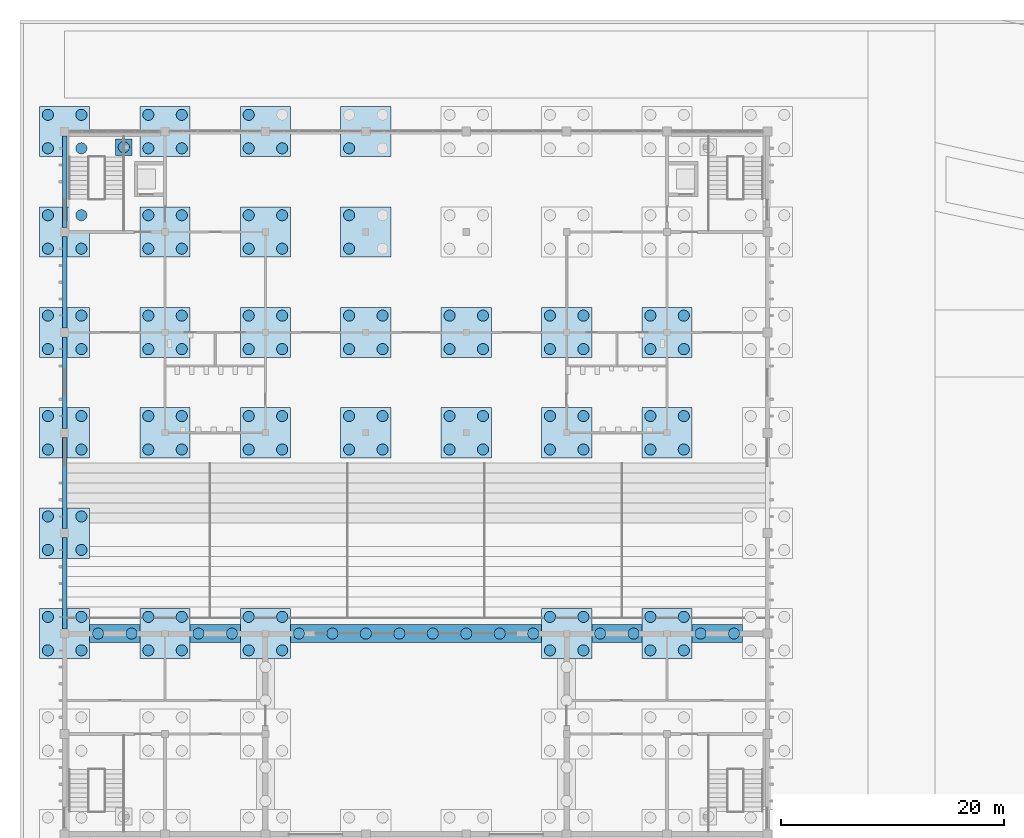
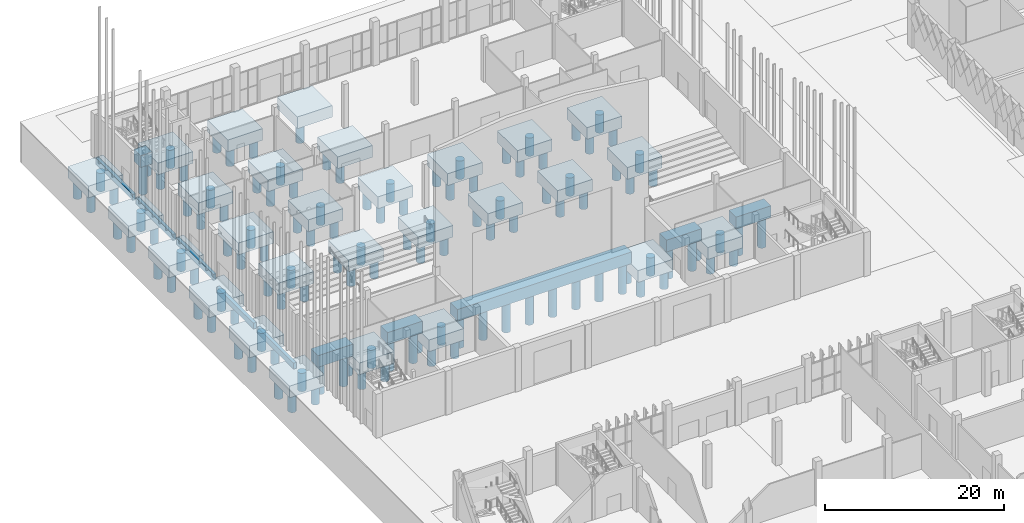
# One storey, part 9 of 198: 123 piles, 39 footings.
"""IFC4 building model written with IfcOpenShell, lengths in metres."""

from ifc_helpers import new_model, si_unit, direction, frame, origin, origin_2d, place, context, subcontext, project, spatial, polyline, circle, outline, extrude, material, layer, layer_set, material_profile, profile_set, type_object, element, save


model = new_model("IFC4")

# Units and contexts
model_context = context("Model", 3, precision=1e-05, world=origin(), true_north=direction((0.0, 1.0)))
body_context = subcontext(model_context, "Body", "Model", "MODEL_VIEW")
ifc_project = project(units=[si_unit("LENGTHUNIT", "METRE"), si_unit("AREAUNIT", "SQUARE_METRE"), si_unit("VOLUMEUNIT", "CUBIC_METRE"), si_unit("PLANEANGLEUNIT", "RADIAN"), si_unit("MASSUNIT", "GRAM", prefix="KILO")], contexts=[model_context])

# Site, building, storey
site_placement = place(None, origin())
site = spatial("IfcSite", under=ifc_project, at=site_placement, CompositionType="ELEMENT")
building_placement = place(site_placement, origin())
building = spatial("IfcBuilding", under=site, at=building_placement, Name="Opaline Strait Convention Centre", CompositionType="ELEMENT")
storey_placement = place(building_placement, origin())
storey = spatial("IfcBuildingStorey", under=building, at=storey_placement, Name="L00", CompositionType="ELEMENT", Elevation=0.0)

# Piles
ifc_material = material(Name="Concrete C35", Category="concrete")
ifc_material_profile_1 = material_profile(ifc_material, circle(Radius=0.5, at=origin_2d()), Name="D1000")
ifc_profile_set_1 = profile_set([ifc_material_profile_1], Name="Concrete C35")
pile_type_1 = type_object("IfcPileType", Name="Bored pile D1000 L2.5 C35", PredefinedType="BORED", material=ifc_profile_set_1)
for number, where, z_axis, x_axis, name in (
    (1, (7.5, 133.5, -3.5), (0.0, 0.0, -1.0), (1.0, 0.0, 0.0), "PPL1 pile 1 of PPC1 at 2/R"),
    (2, (7.5, 136.5, -3.5), (0.0, 0.0, -1.0), (1.0, 0.0, 0.0), "PPL1 pile 2 of PPC1 at 2/R"),
    (3, (10.5, 133.5, -3.5), (0.0, 0.0, -1.0), (1.0, 0.0, 0.0), "PPL1 pile 3 of PPC1 at 2/R"),
    (4, (10.5, 136.5, -3.5), (0.0, 0.0, -1.0), (1.0, 0.0, 0.0), "PPL1 pile 4 of PPC1 at 2/R"),
    (5, (16.5, 133.5, -3.5), (0.0, 0.0, -1.0), (1.0, 0.0, 0.0), "PPL1 pile 1 of PPC1 at 3/R"),
    (6, (16.5, 136.5, -3.5), (0.0, 0.0, -1.0), (1.0, 0.0, 0.0), "PPL1 pile 2 of PPC1 at 3/R"),
    (7, (19.5, 133.5, -3.5), (0.0, 0.0, -1.0), (1.0, 0.0, 0.0), "PPL1 pile 3 of PPC1 at 3/R"),
    (8, (19.5, 136.5, -3.5), (0.0, 0.0, -1.0), (1.0, 0.0, 0.0), "PPL1 pile 4 of PPC1 at 3/R"),
    (9, (25.5, 133.5, -3.5), (0.0, 0.0, -1.0), (1.0, 0.0, 0.0), "PPL1 pile 1 of PPC1 at 4/R"),
    (10, (25.5, 136.5, -3.5), (0.0, 0.0, -1.0), (1.0, 0.0, 0.0), "PPL1 pile 2 of PPC1 at 4/R"),
    (11, (28.5, 133.5, -3.5), (0.0, 0.0, -1.0), (1.0, 0.0, 0.0), "PPL1 pile 3 of PPC1 at 4/R"),
    (12, (28.5, 136.5, -3.5), (0.0, 0.0, -1.0), (1.0, 0.0, 0.0), "PPL1 pile 4 of PPC1 at 4/R"),
    (13, (52.5, 133.5, -3.5), (0.0, 0.0, -1.0), (1.0, 0.0, 0.0), "PPL1 pile 1 of PPC1 at 7/R"),
    (14, (52.5, 136.5, -3.5), (0.0, 0.0, -1.0), (1.0, 0.0, 0.0), "PPL1 pile 2 of PPC1 at 7/R"),
    (15, (55.5, 133.5, -3.5), (0.0, 0.0, -1.0), (1.0, 0.0, 0.0), "PPL1 pile 3 of PPC1 at 7/R"),
    (16, (55.5, 136.5, -3.5), (0.0, 0.0, -1.0), (1.0, 0.0, 0.0), "PPL1 pile 4 of PPC1 at 7/R"),
    (17, (61.5, 133.5, -3.5), (0.0, 0.0, -1.0), (1.0, 0.0, 0.0), "PPL1 pile 1 of PPC1 at 8/R"),
    (18, (61.5, 136.5, -3.5), (0.0, 0.0, -1.0), (1.0, 0.0, 0.0), "PPL1 pile 2 of PPC1 at 8/R"),
    (19, (64.5, 133.5, -3.5), (0.0, 0.0, -1.0), (1.0, 0.0, 0.0), "PPL1 pile 3 of PPC1 at 8/R"),
    (20, (64.5, 136.5, -3.5), (0.0, 0.0, -1.0), (1.0, 0.0, 0.0), "PPL1 pile 4 of PPC1 at 8/R"),
    (21, (7.5, 142.5, -3.5), (0.0, 0.0, -1.0), (1.0, 0.0, 0.0), "PPL1 pile 1 of PPC1 at 2/S"),
    (22, (7.5, 145.5, -3.5), (0.0, 0.0, -1.0), (1.0, 0.0, 0.0), "PPL1 pile 2 of PPC1 at 2/S"),
    (23, (10.5, 142.5, -3.5), (0.0, 0.0, -1.0), (1.0, 0.0, 0.0), "PPL1 pile 3 of PPC1 at 2/S"),
    (24, (10.5, 145.5, -3.5), (0.0, 0.0, -1.0), (1.0, 0.0, 0.0), "PPL1 pile 4 of PPC1 at 2/S"),
    (25, (7.5, 151.5, -3.5), (0.0, 0.0, -1.0), (1.0, 0.0, 0.0), "PPL1 pile 1 of PPC1 at 2/T"),
    (26, (7.5, 154.5, -3.5), (0.0, 0.0, -1.0), (1.0, 0.0, 0.0), "PPL1 pile 2 of PPC1 at 2/T"),
    (27, (10.5, 151.5, -3.5), (0.0, 0.0, -1.0), (1.0, 0.0, 0.0), "PPL1 pile 3 of PPC1 at 2/T"),
    (28, (10.5, 154.5, -3.5), (0.0, 0.0, -1.0), (1.0, 0.0, 0.0), "PPL1 pile 4 of PPC1 at 2/T"),
    (29, (16.5, 151.5, -3.5), (0.0, 0.0, -1.0), (1.0, 0.0, 0.0), "PPL1 pile 1 of PPC1 at 3/T"),
    (30, (16.5, 154.5, -3.5), (0.0, 0.0, -1.0), (1.0, 0.0, 0.0), "PPL1 pile 2 of PPC1 at 3/T"),
    (31, (19.5, 151.5, -3.5), (0.0, 0.0, -1.0), (1.0, 0.0, 0.0), "PPL1 pile 3 of PPC1 at 3/T"),
    (32, (19.5, 154.5, -3.5), (0.0, 0.0, -1.0), (1.0, 0.0, 0.0), "PPL1 pile 4 of PPC1 at 3/T"),
    (33, (25.5, 151.5, -3.5), (0.0, 0.0, -1.0), (1.0, 0.0, 0.0), "PPL1 pile 1 of PPC1 at 4/T"),
    (34, (25.5, 154.5, -3.5), (0.0, 0.0, -1.0), (1.0, 0.0, 0.0), "PPL1 pile 2 of PPC1 at 4/T"),
    (35, (28.5, 151.5, -3.5), (0.0, 0.0, -1.0), (1.0, 0.0, 0.0), "PPL1 pile 3 of PPC1 at 4/T"),
    (36, (28.5, 154.5, -3.5), (0.0, 0.0, -1.0), (1.0, 0.0, 0.0), "PPL1 pile 4 of PPC1 at 4/T"),
    (37, (34.5, 151.5, -3.5), (0.0, 0.0, -1.0), (1.0, 0.0, 0.0), "PPL1 pile 1 of PPC1 at 5/T"),
    (38, (34.5, 154.5, -3.5), (0.0, 0.0, -1.0), (1.0, 0.0, 0.0), "PPL1 pile 2 of PPC1 at 5/T"),
    (39, (37.5, 151.5, -3.5), (0.0, 0.0, -1.0), (1.0, 0.0, 0.0), "PPL1 pile 3 of PPC1 at 5/T"),
    (40, (37.5, 154.5, -3.5), (0.0, 0.0, -1.0), (1.0, 0.0, 0.0), "PPL1 pile 4 of PPC1 at 5/T"),
    (41, (43.5, 151.5, -3.5), (0.0, 0.0, -1.0), (1.0, 0.0, 0.0), "PPL1 pile 1 of PPC1 at 6/T"),
    (42, (43.5, 154.5, -3.5), (0.0, 0.0, -1.0), (1.0, 0.0, 0.0), "PPL1 pile 2 of PPC1 at 6/T"),
    (43, (46.5, 151.5, -3.5), (0.0, 0.0, -1.0), (1.0, 0.0, 0.0), "PPL1 pile 3 of PPC1 at 6/T"),
    (44, (46.5, 154.5, -3.5), (0.0, 0.0, -1.0), (1.0, 0.0, 0.0), "PPL1 pile 4 of PPC1 at 6/T"),
    (45, (52.5, 151.5, -3.5), (0.0, 0.0, -1.0), (1.0, 0.0, 0.0), "PPL1 pile 1 of PPC1 at 7/T"),
    (46, (52.5, 154.5, -3.5), (0.0, 0.0, -1.0), (1.0, 0.0, 0.0), "PPL1 pile 2 of PPC1 at 7/T"),
    (47, (55.5, 151.5, -3.5), (0.0, 0.0, -1.0), (1.0, 0.0, 0.0), "PPL1 pile 3 of PPC1 at 7/T"),
    (48, (55.5, 154.5, -3.5), (0.0, 0.0, -1.0), (1.0, 0.0, 0.0), "PPL1 pile 4 of PPC1 at 7/T"),
    (49, (61.5, 151.5, -3.5), (0.0, 0.0, -1.0), (1.0, 0.0, 0.0), "PPL1 pile 1 of PPC1 at 8/T"),
    (50, (61.5, 154.5, -3.5), (0.0, 0.0, -1.0), (1.0, 0.0, 0.0), "PPL1 pile 2 of PPC1 at 8/T"),
    (51, (64.5, 151.5, -3.5), (0.0, 0.0, -1.0), (1.0, 0.0, 0.0), "PPL1 pile 3 of PPC1 at 8/T"),
    (52, (64.5, 154.5, -3.5), (0.0, 0.0, -1.0), (1.0, 0.0, 0.0), "PPL1 pile 4 of PPC1 at 8/T"),
    (53, (7.5, 160.5, -3.5), (0.0, 0.0, -1.0), (1.0, 0.0, 0.0), "PPL1 pile 1 of PPC1 at 2/U"),
    (54, (7.5, 163.5, -3.5), (0.0, 0.0, -1.0), (1.0, 0.0, 0.0), "PPL1 pile 2 of PPC1 at 2/U"),
    (55, (10.5, 160.5, -3.5), (0.0, 0.0, -1.0), (1.0, 0.0, 0.0), "PPL1 pile 3 of PPC1 at 2/U"),
    (56, (10.5, 163.5, -3.5), (0.0, 0.0, -1.0), (1.0, 0.0, 0.0), "PPL1 pile 4 of PPC1 at 2/U"),
    (57, (16.5, 160.5, -3.5), (0.0, 0.0, -1.0), (1.0, 0.0, 0.0), "PPL1 pile 1 of PPC1 at 3/U"),
    (58, (16.5, 163.5, -3.5), (0.0, 0.0, -1.0), (1.0, 0.0, 0.0), "PPL1 pile 2 of PPC1 at 3/U"),
    (59, (19.5, 160.5, -3.5), (0.0, 0.0, -1.0), (1.0, 0.0, 0.0), "PPL1 pile 3 of PPC1 at 3/U"),
    (60, (19.5, 163.5, -3.5), (0.0, 0.0, -1.0), (1.0, 0.0, 0.0), "PPL1 pile 4 of PPC1 at 3/U"),
    (61, (25.5, 160.5, -3.5), (0.0, 0.0, -1.0), (1.0, 0.0, 0.0), "PPL1 pile 1 of PPC1 at 4/U"),
    (62, (25.5, 163.5, -3.5), (0.0, 0.0, -1.0), (1.0, 0.0, 0.0), "PPL1 pile 2 of PPC1 at 4/U"),
    (63, (28.5, 160.5, -3.5), (0.0, 0.0, -1.0), (1.0, 0.0, 0.0), "PPL1 pile 3 of PPC1 at 4/U"),
    (64, (28.5, 163.5, -3.5), (0.0, 0.0, -1.0), (1.0, 0.0, 0.0), "PPL1 pile 4 of PPC1 at 4/U"),
    (65, (34.5, 160.5, -3.5), (0.0, 0.0, -1.0), (1.0, 0.0, 0.0), "PPL1 pile 1 of PPC1 at 5/U"),
    (66, (34.5, 163.5, -3.5), (0.0, 0.0, -1.0), (1.0, 0.0, 0.0), "PPL1 pile 2 of PPC1 at 5/U"),
    (67, (37.5, 160.5, -3.5), (0.0, 0.0, -1.0), (1.0, 0.0, 0.0), "PPL1 pile 3 of PPC1 at 5/U"),
    (68, (37.5, 163.5, -3.5), (0.0, 0.0, -1.0), (1.0, 0.0, 0.0), "PPL1 pile 4 of PPC1 at 5/U"),
    (69, (43.5, 160.5, -3.5), (0.0, 0.0, -1.0), (1.0, 0.0, 0.0), "PPL1 pile 1 of PPC1 at 6/U"),
    (70, (43.5, 163.5, -3.5), (0.0, 0.0, -1.0), (1.0, 0.0, 0.0), "PPL1 pile 2 of PPC1 at 6/U"),
    (71, (46.5, 160.5, -3.5), (0.0, 0.0, -1.0), (1.0, 0.0, 0.0), "PPL1 pile 3 of PPC1 at 6/U"),
    (72, (46.5, 163.5, -3.5), (0.0, 0.0, -1.0), (1.0, 0.0, 0.0), "PPL1 pile 4 of PPC1 at 6/U"),
    (73, (52.5, 160.5, -3.5), (0.0, 0.0, -1.0), (1.0, 0.0, 0.0), "PPL1 pile 1 of PPC1 at 7/U"),
    (74, (52.5, 163.5, -3.5), (0.0, 0.0, -1.0), (1.0, 0.0, 0.0), "PPL1 pile 2 of PPC1 at 7/U"),
    (75, (55.5, 160.5, -3.5), (0.0, 0.0, -1.0), (1.0, 0.0, 0.0), "PPL1 pile 3 of PPC1 at 7/U"),
    (76, (55.5, 163.5, -3.5), (0.0, 0.0, -1.0), (1.0, 0.0, 0.0), "PPL1 pile 4 of PPC1 at 7/U"),
    (77, (61.5, 160.5, -3.5), (0.0, 0.0, -1.0), (1.0, 0.0, 0.0), "PPL1 pile 1 of PPC1 at 8/U"),
    (78, (61.5, 163.5, -3.5), (0.0, 0.0, -1.0), (1.0, 0.0, 0.0), "PPL1 pile 2 of PPC1 at 8/U"),
    (79, (64.5, 160.5, -3.5), (0.0, 0.0, -1.0), (1.0, 0.0, 0.0), "PPL1 pile 3 of PPC1 at 8/U"),
    (80, (64.5, 163.5, -3.5), (0.0, 0.0, -1.0), (1.0, 0.0, 0.0), "PPL1 pile 4 of PPC1 at 8/U"),
    (81, (7.5, 169.5, -3.5), (0.0, 0.0, -1.0), (1.0, 0.0, 0.0), "PPL1 pile 1 of PPC1 at 2/V"),
    (82, (7.5, 172.5, -3.5), (0.0, 0.0, -1.0), (1.0, 0.0, 0.0), "PPL1 pile 2 of PPC1 at 2/V"),
    (83, (10.5, 169.5, -3.5), (0.0, 0.0, -1.0), (1.0, 0.0, 0.0), "PPL1 pile 3 of PPC1 at 2/V"),
    (84, (10.5, 172.5, -3.5), (0.0, 0.0, -1.0), (1.0, 0.0, 0.0), "PPL1 pile 4 of PPC1 at 2/V"),
    (85, (16.5, 169.5, -3.5), (0.0, 0.0, -1.0), (1.0, 0.0, 0.0), "PPL1 pile 1 of PPC1 at 3/V"),
    (86, (16.5, 172.5, -3.5), (0.0, 0.0, -1.0), (1.0, 0.0, 0.0), "PPL1 pile 2 of PPC1 at 3/V"),
    (87, (19.5, 169.5, -3.5), (0.0, 0.0, -1.0), (1.0, 0.0, 0.0), "PPL1 pile 3 of PPC1 at 3/V"),
    (88, (19.5, 172.5, -3.5), (0.0, 0.0, -1.0), (1.0, 0.0, 0.0), "PPL1 pile 4 of PPC1 at 3/V"),
    (89, (25.5, 169.5, -3.5), (0.0, 0.0, -1.0), (1.0, 0.0, 0.0), "PPL1 pile 1 of PPC1 at 4/V"),
    (90, (25.5, 172.5, -3.5), (0.0, 0.0, -1.0), (1.0, 0.0, 0.0), "PPL1 pile 2 of PPC1 at 4/V"),
    (91, (28.5, 169.5, -3.5), (0.0, 0.0, -1.0), (1.0, 0.0, 0.0), "PPL1 pile 3 of PPC1 at 4/V"),
    (92, (28.5, 172.5, -3.5), (0.0, 0.0, -1.0), (1.0, 0.0, 0.0), "PPL1 pile 4 of PPC1 at 4/V"),
    (93, (34.5, 169.5, -3.5), (0.0, 0.0, -1.0), (1.0, 0.0, 0.0), "PPL1 pile 1 of PPC1 at 5/V"),
    (94, (34.5, 172.5, -3.5), (0.0, 0.0, -1.0), (1.0, 0.0, 0.0), "PPL1 pile 2 of PPC1 at 5/V"),
    (95, (7.5, 178.5, -3.5), (0.0, 0.0, -1.0), (1.0, 0.0, 0.0), "PPL1 pile 1 of PPC1 at 2/W"),
    (96, (7.5, 181.5, -3.5), (0.0, 0.0, -1.0), (1.0, 0.0, 0.0), "PPL1 pile 2 of PPC1 at 2/W"),
    (97, (10.5, 178.5, -3.5), (0.0, 0.0, -1.0), (1.0, 0.0, 0.0), "PPL1 pile 3 of PPC1 at 2/W"),
    (98, (10.5, 181.5, -3.5), (0.0, 0.0, -1.0), (1.0, 0.0, 0.0), "PPL1 pile 4 of PPC1 at 2/W"),
    (99, (16.5, 178.5, -3.5), (0.0, 0.0, -1.0), (1.0, 0.0, 0.0), "PPL1 pile 1 of PPC1 at 3/W"),
    (100, (16.5, 181.5, -3.5), (0.0, 0.0, -1.0), (1.0, 0.0, 0.0), "PPL1 pile 2 of PPC1 at 3/W"),
    (101, (19.5, 178.5, -3.5), (0.0, 0.0, -1.0), (1.0, 0.0, 0.0), "PPL1 pile 3 of PPC1 at 3/W"),
    (102, (19.5, 181.5, -3.5), (0.0, 0.0, -1.0), (1.0, 0.0, 0.0), "PPL1 pile 4 of PPC1 at 3/W"),
    (103, (25.5, 178.5, -3.5), (0.0, 0.0, -1.0), (1.0, 0.0, 0.0), "PPL1 pile 1 of PPC1 at 4/W"),
    (104, (25.5, 181.5, -3.5), (0.0, 0.0, -1.0), (1.0, 0.0, 0.0), "PPL1 pile 2 of PPC1 at 4/W"),
    (105, (28.5, 178.5, -3.5), (0.0, 0.0, -1.0), (1.0, 0.0, 0.0), "PPL1 pile 3 of PPC1 at 4/W"),
    (106, (34.5, 178.5, -3.5), (0.0, 0.0, -1.0), (1.0, 0.0, 0.0), "PPL1 pile 1 of PPC1 at 5/W"),
):
    element("IfcPile", number, at=place(storey_placement, frame(where, z_axis=z_axis, x_axis=x_axis)), inside=storey, type_object=pile_type_1, Name=name, PredefinedType="BORED", context=body_context, shape_type="SweptSolid", body=[
        extrude(circle(Radius=0.5, at=origin_2d()), origin(), (0.0, 0.0, 1.0), 2.5),
    ])
ifc_material_profile_2 = material_profile(ifc_material, circle(Radius=0.5, at=origin_2d()), Name="D1000")
ifc_profile_set_2 = profile_set([ifc_material_profile_2], Name="Concrete C35")
pile_type_2 = type_object("IfcPileType", Name="Bored pile D1000 L4.2 C35", PredefinedType="BORED", material=ifc_profile_set_2)
for number, where, z_axis, x_axis, name in (
    (107, (12.0, 135.0, -1.800048828125), (0.0, 0.0, -1.0), (1.0, 0.0, 0.0), "PPL2 pile 1 of PPB1 x135 11.25"),
    (108, (15.0, 135.0, -1.800048828125), (0.0, 0.0, -1.0), (1.0, 0.0, 0.0), "PPL2 pile 2 of PPB1 x135 11.25"),
    (109, (21.0, 135.0, -1.800048828125), (0.0, 0.0, -1.0), (1.0, 0.0, 0.0), "PPL2 pile 1 of PPB1 x135 20.25"),
    (110, (24.0, 135.0, -1.800048828125), (0.0, 0.0, -1.0), (1.0, 0.0, 0.0), "PPL2 pile 2 of PPB1 x135 20.25"),
    (111, (30.0, 135.0, -1.800048828125), (0.0, 0.0, -1.0), (1.0, 0.0, 0.0), "PPL2 pile 1 of PPB2 x135 29.25"),
    (112, (33.0, 135.0, -1.800048828125), (0.0, 0.0, -1.0), (1.0, 0.0, 0.0), "PPL2 pile 2 of PPB2 x135 29.25"),
    (113, (36.0, 135.0, -1.800048828125), (0.0, 0.0, -1.0), (1.0, 0.0, 0.0), "PPL2 pile 3 of PPB2 x135 29.25"),
    (114, (39.0, 135.0, -1.800048828125), (0.0, 0.0, -1.0), (1.0, 0.0, 0.0), "PPL2 pile 4 of PPB2 x135 29.25"),
    (115, (42.0, 135.0, -1.800048828125), (0.0, 0.0, -1.0), (1.0, 0.0, 0.0), "PPL2 pile 5 of PPB2 x135 29.25"),
    (116, (45.0, 135.0, -1.800048828125), (0.0, 0.0, -1.0), (1.0, 0.0, 0.0), "PPL2 pile 6 of PPB2 x135 29.25"),
    (117, (48.0, 135.0, -1.800048828125), (0.0, 0.0, -1.0), (1.0, 0.0, 0.0), "PPL2 pile 7 of PPB2 x135 29.25"),
    (118, (51.0, 135.0, -1.800048828125), (0.0, 0.0, -1.0), (1.0, 0.0, 0.0), "PPL2 pile 8 of PPB2 x135 29.25"),
    (119, (57.0, 135.0, -1.800048828125), (0.0, 0.0, -1.0), (1.0, 0.0, 0.0), "PPL2 pile 1 of PPB1 x135 56.25"),
    (120, (60.0, 135.0, -1.800048828125), (0.0, 0.0, -1.0), (1.0, 0.0, 0.0), "PPL2 pile 2 of PPB1 x135 56.25"),
    (121, (66.0, 135.0, -1.800048828125), (0.0, 0.0, -1.0), (1.0, 0.0, 0.0), "PPL2 pile 1 of PPB1 x135 65.25"),
    (122, (69.0, 135.0, -1.800048828125), (0.0, 0.0, -1.0), (1.0, 0.0, 0.0), "PPL2 pile 2 of PPB1 x135 65.25"),
    (123, (14.300048828125, 178.60009765625, -1.800048828125), (0.0, 0.0, -1.0), (1.0, 0.0, 0.0), "PPL2 pile of PPF1 NW"),
):
    element("IfcPile", number, at=place(storey_placement, frame(where, z_axis=z_axis, x_axis=x_axis)), inside=storey, type_object=pile_type_2, Name=name, PredefinedType="BORED", context=body_context, shape_type="SweptSolid", body=[
        extrude(circle(Radius=0.5, at=origin_2d()), origin(), (0.0, 0.0, 1.0), 4.199951171875),
    ])

# Footings
ifc_layer_1 = layer(ifc_material, 1.60009765625)
ifc_layer_set_1 = layer_set([ifc_layer_1], Name="Concrete C35")
footing_type_1 = type_object("IfcFootingType", Name="Pile cap 1500 x 1500 x 1600 C35", PredefinedType="PILE_CAP", material=ifc_layer_set_1)
footing_1_placement = place(storey_placement, frame((0.0, 0.0, -1.89990234375)))
element("IfcFooting", 124, at=footing_1_placement, inside=storey, type_object=footing_type_1, Name="PPF1 pile cap of the NW stair landing column", PredefinedType="PILE_CAP", context=body_context, shape_type="SweptSolid", body=[
    extrude(outline(polyline([(13.550048828125, 177.85009765625), (15.050048828125, 177.85009765625), (15.050048828125, 179.35009765625), (13.550048828125, 179.35009765625), (13.550048828125, 177.85009765625)])), origin(), (0.0, 0.0, 1.0), 1.599853515625),
])
ifc_layer_2 = layer(ifc_material, 1.60009765625)
ifc_layer_set_2 = layer_set([ifc_layer_2], Name="Concrete C35")
footing_type_2 = type_object("IfcFootingType", Name="Pile cap 4500 x 4500 x 1600 C35", PredefinedType="PILE_CAP", material=ifc_layer_set_2)
footing_2_placement = place(storey_placement, frame((0.0, 0.0, -3.60009765625)))
element("IfcFooting", 125, at=footing_2_placement, inside=storey, type_object=footing_type_2, Name="PPC1 pile cap at 2/R", PredefinedType="PILE_CAP", context=body_context, shape_type="SweptSolid", body=[
    extrude(outline(polyline([(6.75, 132.75), (11.25, 132.75), (11.25, 137.25), (6.75, 137.25), (6.75, 132.75)])), origin(), (0.0, 0.0, 1.0), 1.60009765625),
])
footing_3_placement = place(storey_placement, frame((0.0, 0.0, -3.60009765625)))
element("IfcFooting", 126, at=footing_3_placement, inside=storey, type_object=footing_type_2, Name="PPC1 pile cap at 3/R", PredefinedType="PILE_CAP", context=body_context, shape_type="SweptSolid", body=[
    extrude(outline(polyline([(15.75, 132.75), (20.25, 132.75), (20.25, 137.25), (15.75, 137.25), (15.75, 132.75)])), origin(), (0.0, 0.0, 1.0), 1.60009765625),
])
footing_4_placement = place(storey_placement, frame((0.0, 0.0, -3.60009765625)))
element("IfcFooting", 127, at=footing_4_placement, inside=storey, type_object=footing_type_2, Name="PPC1 pile cap at 4/R", PredefinedType="PILE_CAP", context=body_context, shape_type="SweptSolid", body=[
    extrude(outline(polyline([(24.75, 132.75), (29.25, 132.75), (29.25, 137.25), (24.75, 137.25), (24.75, 132.75)])), origin(), (0.0, 0.0, 1.0), 1.60009765625),
])
footing_5_placement = place(storey_placement, frame((0.0, 0.0, -3.60009765625)))
element("IfcFooting", 128, at=footing_5_placement, inside=storey, type_object=footing_type_2, Name="PPC1 pile cap at 7/R", PredefinedType="PILE_CAP", context=body_context, shape_type="SweptSolid", body=[
    extrude(outline(polyline([(51.75, 132.75), (56.25, 132.75), (56.25, 137.25), (51.75, 137.25), (51.75, 132.75)])), origin(), (0.0, 0.0, 1.0), 1.60009765625),
])
footing_6_placement = place(storey_placement, frame((0.0, 0.0, -3.60009765625)))
element("IfcFooting", 129, at=footing_6_placement, inside=storey, type_object=footing_type_2, Name="PPC1 pile cap at 8/R", PredefinedType="PILE_CAP", context=body_context, shape_type="SweptSolid", body=[
    extrude(outline(polyline([(60.75, 132.75), (65.25, 132.75), (65.25, 137.25), (60.75, 137.25), (60.75, 132.75)])), origin(), (0.0, 0.0, 1.0), 1.60009765625),
])
footing_7_placement = place(storey_placement, frame((0.0, 0.0, -3.60009765625)))
element("IfcFooting", 130, at=footing_7_placement, inside=storey, type_object=footing_type_2, Name="PPC1 pile cap at 2/S", PredefinedType="PILE_CAP", context=body_context, shape_type="SweptSolid", body=[
    extrude(outline(polyline([(6.75, 141.75), (11.25, 141.75), (11.25, 146.25), (6.75, 146.25), (6.75, 141.75)])), origin(), (0.0, 0.0, 1.0), 1.60009765625),
])
footing_8_placement = place(storey_placement, frame((0.0, 0.0, -3.60009765625)))
element("IfcFooting", 131, at=footing_8_placement, inside=storey, type_object=footing_type_2, Name="PPC1 pile cap at 2/T", PredefinedType="PILE_CAP", context=body_context, shape_type="SweptSolid", body=[
    extrude(outline(polyline([(6.75, 150.75), (11.25, 150.75), (11.25, 155.25), (6.75, 155.25), (6.75, 150.75)])), origin(), (0.0, 0.0, 1.0), 1.60009765625),
])
footing_9_placement = place(storey_placement, frame((0.0, 0.0, -3.60009765625)))
element("IfcFooting", 132, at=footing_9_placement, inside=storey, type_object=footing_type_2, Name="PPC1 pile cap at 3/T", PredefinedType="PILE_CAP", context=body_context, shape_type="SweptSolid", body=[
    extrude(outline(polyline([(15.75, 150.75), (20.25, 150.75), (20.25, 155.25), (15.75, 155.25), (15.75, 150.75)])), origin(), (0.0, 0.0, 1.0), 1.60009765625),
])
footing_10_placement = place(storey_placement, frame((0.0, 0.0, -3.60009765625)))
element("IfcFooting", 133, at=footing_10_placement, inside=storey, type_object=footing_type_2, Name="PPC1 pile cap at 4/T", PredefinedType="PILE_CAP", context=body_context, shape_type="SweptSolid", body=[
    extrude(outline(polyline([(24.75, 150.75), (29.25, 150.75), (29.25, 155.25), (24.75, 155.25), (24.75, 150.75)])), origin(), (0.0, 0.0, 1.0), 1.60009765625),
])
footing_11_placement = place(storey_placement, frame((0.0, 0.0, -3.60009765625)))
element("IfcFooting", 134, at=footing_11_placement, inside=storey, type_object=footing_type_2, Name="PPC1 pile cap at 5/T", PredefinedType="PILE_CAP", context=body_context, shape_type="SweptSolid", body=[
    extrude(outline(polyline([(33.75, 150.75), (38.25, 150.75), (38.25, 155.25), (33.75, 155.25), (33.75, 150.75)])), origin(), (0.0, 0.0, 1.0), 1.60009765625),
])
footing_12_placement = place(storey_placement, frame((0.0, 0.0, -3.60009765625)))
element("IfcFooting", 135, at=footing_12_placement, inside=storey, type_object=footing_type_2, Name="PPC1 pile cap at 6/T", PredefinedType="PILE_CAP", context=body_context, shape_type="SweptSolid", body=[
    extrude(outline(polyline([(42.75, 150.75), (47.25, 150.75), (47.25, 155.25), (42.75, 155.25), (42.75, 150.75)])), origin(), (0.0, 0.0, 1.0), 1.60009765625),
])
footing_13_placement = place(storey_placement, frame((0.0, 0.0, -3.60009765625)))
element("IfcFooting", 136, at=footing_13_placement, inside=storey, type_object=footing_type_2, Name="PPC1 pile cap at 7/T", PredefinedType="PILE_CAP", context=body_context, shape_type="SweptSolid", body=[
    extrude(outline(polyline([(51.75, 150.75), (56.25, 150.75), (56.25, 155.25), (51.75, 155.25), (51.75, 150.75)])), origin(), (0.0, 0.0, 1.0), 1.60009765625),
])
footing_14_placement = place(storey_placement, frame((0.0, 0.0, -3.60009765625)))
element("IfcFooting", 137, at=footing_14_placement, inside=storey, type_object=footing_type_2, Name="PPC1 pile cap at 8/T", PredefinedType="PILE_CAP", context=body_context, shape_type="SweptSolid", body=[
    extrude(outline(polyline([(60.75, 150.75), (65.25, 150.75), (65.25, 155.25), (60.75, 155.25), (60.75, 150.75)])), origin(), (0.0, 0.0, 1.0), 1.60009765625),
])
footing_15_placement = place(storey_placement, frame((0.0, 0.0, -3.60009765625)))
element("IfcFooting", 138, at=footing_15_placement, inside=storey, type_object=footing_type_2, Name="PPC1 pile cap at 2/U", PredefinedType="PILE_CAP", context=body_context, shape_type="SweptSolid", body=[
    extrude(outline(polyline([(6.75, 159.75), (11.25, 159.75), (11.25, 164.25), (6.75, 164.25), (6.75, 159.75)])), origin(), (0.0, 0.0, 1.0), 1.60009765625),
])
footing_16_placement = place(storey_placement, frame((0.0, 0.0, -3.60009765625)))
element("IfcFooting", 139, at=footing_16_placement, inside=storey, type_object=footing_type_2, Name="PPC1 pile cap at 3/U", PredefinedType="PILE_CAP", context=body_context, shape_type="SweptSolid", body=[
    extrude(outline(polyline([(15.75, 159.75), (20.25, 159.75), (20.25, 164.25), (15.75, 164.25), (15.75, 159.75)])), origin(), (0.0, 0.0, 1.0), 1.60009765625),
])
footing_17_placement = place(storey_placement, frame((0.0, 0.0, -3.60009765625)))
element("IfcFooting", 140, at=footing_17_placement, inside=storey, type_object=footing_type_2, Name="PPC1 pile cap at 4/U", PredefinedType="PILE_CAP", context=body_context, shape_type="SweptSolid", body=[
    extrude(outline(polyline([(24.75, 159.75), (29.25, 159.75), (29.25, 164.25), (24.75, 164.25), (24.75, 159.75)])), origin(), (0.0, 0.0, 1.0), 1.60009765625),
])
footing_18_placement = place(storey_placement, frame((0.0, 0.0, -3.60009765625)))
element("IfcFooting", 141, at=footing_18_placement, inside=storey, type_object=footing_type_2, Name="PPC1 pile cap at 5/U", PredefinedType="PILE_CAP", context=body_context, shape_type="SweptSolid", body=[
    extrude(outline(polyline([(33.75, 159.75), (38.25, 159.75), (38.25, 164.25), (33.75, 164.25), (33.75, 159.75)])), origin(), (0.0, 0.0, 1.0), 1.60009765625),
])
footing_19_placement = place(storey_placement, frame((0.0, 0.0, -3.60009765625)))
element("IfcFooting", 142, at=footing_19_placement, inside=storey, type_object=footing_type_2, Name="PPC1 pile cap at 6/U", PredefinedType="PILE_CAP", context=body_context, shape_type="SweptSolid", body=[
    extrude(outline(polyline([(42.75, 159.75), (47.25, 159.75), (47.25, 164.25), (42.75, 164.25), (42.75, 159.75)])), origin(), (0.0, 0.0, 1.0), 1.60009765625),
])
footing_20_placement = place(storey_placement, frame((0.0, 0.0, -3.60009765625)))
element("IfcFooting", 143, at=footing_20_placement, inside=storey, type_object=footing_type_2, Name="PPC1 pile cap at 7/U", PredefinedType="PILE_CAP", context=body_context, shape_type="SweptSolid", body=[
    extrude(outline(polyline([(51.75, 159.75), (56.25, 159.75), (56.25, 164.25), (51.75, 164.25), (51.75, 159.75)])), origin(), (0.0, 0.0, 1.0), 1.60009765625),
])
footing_21_placement = place(storey_placement, frame((0.0, 0.0, -3.60009765625)))
element("IfcFooting", 144, at=footing_21_placement, inside=storey, type_object=footing_type_2, Name="PPC1 pile cap at 8/U", PredefinedType="PILE_CAP", context=body_context, shape_type="SweptSolid", body=[
    extrude(outline(polyline([(60.75, 159.75), (65.25, 159.75), (65.25, 164.25), (60.75, 164.25), (60.75, 159.75)])), origin(), (0.0, 0.0, 1.0), 1.60009765625),
])
footing_22_placement = place(storey_placement, frame((0.0, 0.0, -3.60009765625)))
element("IfcFooting", 145, at=footing_22_placement, inside=storey, type_object=footing_type_2, Name="PPC1 pile cap at 2/V", PredefinedType="PILE_CAP", context=body_context, shape_type="SweptSolid", body=[
    extrude(outline(polyline([(6.75, 168.75), (11.25, 168.75), (11.25, 173.25), (6.75, 173.25), (6.75, 168.75)])), origin(), (0.0, 0.0, 1.0), 1.60009765625),
])
footing_23_placement = place(storey_placement, frame((0.0, 0.0, -3.60009765625)))
element("IfcFooting", 146, at=footing_23_placement, inside=storey, type_object=footing_type_2, Name="PPC1 pile cap at 3/V", PredefinedType="PILE_CAP", context=body_context, shape_type="SweptSolid", body=[
    extrude(outline(polyline([(15.75, 168.75), (20.25, 168.75), (20.25, 173.25), (15.75, 173.25), (15.75, 168.75)])), origin(), (0.0, 0.0, 1.0), 1.60009765625),
])
footing_24_placement = place(storey_placement, frame((0.0, 0.0, -3.60009765625)))
element("IfcFooting", 147, at=footing_24_placement, inside=storey, type_object=footing_type_2, Name="PPC1 pile cap at 4/V", PredefinedType="PILE_CAP", context=body_context, shape_type="SweptSolid", body=[
    extrude(outline(polyline([(24.75, 168.75), (29.25, 168.75), (29.25, 173.25), (24.75, 173.25), (24.75, 168.75)])), origin(), (0.0, 0.0, 1.0), 1.60009765625),
])
footing_25_placement = place(storey_placement, frame((0.0, 0.0, -3.60009765625)))
element("IfcFooting", 148, at=footing_25_placement, inside=storey, type_object=footing_type_2, Name="PPC1 pile cap at 5/V", PredefinedType="PILE_CAP", context=body_context, shape_type="SweptSolid", body=[
    extrude(outline(polyline([(33.75, 168.75), (38.25, 168.75), (38.25, 173.25), (33.75, 173.25), (33.75, 168.75)])), origin(), (0.0, 0.0, 1.0), 1.60009765625),
])
footing_26_placement = place(storey_placement, frame((0.0, 0.0, -3.60009765625)))
element("IfcFooting", 149, at=footing_26_placement, inside=storey, type_object=footing_type_2, Name="PPC1 pile cap at 2/W", PredefinedType="PILE_CAP", context=body_context, shape_type="SweptSolid", body=[
    extrude(outline(polyline([(6.75, 177.75), (11.25, 177.75), (11.25, 182.25), (6.75, 182.25), (6.75, 177.75)])), origin(), (0.0, 0.0, 1.0), 1.60009765625),
])
footing_27_placement = place(storey_placement, frame((0.0, 0.0, -3.60009765625)))
element("IfcFooting", 150, at=footing_27_placement, inside=storey, type_object=footing_type_2, Name="PPC1 pile cap at 3/W", PredefinedType="PILE_CAP", context=body_context, shape_type="SweptSolid", body=[
    extrude(outline(polyline([(15.75, 177.75), (20.25, 177.75), (20.25, 182.25), (15.75, 182.25), (15.75, 177.75)])), origin(), (0.0, 0.0, 1.0), 1.60009765625),
])
footing_28_placement = place(storey_placement, frame((0.0, 0.0, -3.60009765625)))
element("IfcFooting", 151, at=footing_28_placement, inside=storey, type_object=footing_type_2, Name="PPC1 pile cap at 4/W", PredefinedType="PILE_CAP", context=body_context, shape_type="SweptSolid", body=[
    extrude(outline(polyline([(24.75, 177.75), (29.25, 177.75), (29.25, 182.25), (24.75, 182.25), (24.75, 177.75)])), origin(), (0.0, 0.0, 1.0), 1.60009765625),
])
footing_29_placement = place(storey_placement, frame((0.0, 0.0, -3.60009765625)))
element("IfcFooting", 152, at=footing_29_placement, inside=storey, type_object=footing_type_2, Name="PPC1 pile cap at 5/W", PredefinedType="PILE_CAP", context=body_context, shape_type="SweptSolid", body=[
    extrude(outline(polyline([(33.75, 177.75), (38.25, 177.75), (38.25, 182.25), (33.75, 182.25), (33.75, 177.75)])), origin(), (0.0, 0.0, 1.0), 1.60009765625),
])
ifc_layer_3 = layer(ifc_material, 1.60009765625)
ifc_layer_set_3 = layer_set([ifc_layer_3], Name="Concrete C35")
footing_type_3 = type_object("IfcFootingType", Name="Pile cap beam 22500 x 1600 x 1600 C35", PredefinedType="PILE_CAP", material=ifc_layer_set_3)
footing_30_placement = place(storey_placement, frame((0.0, 0.0, -1.89990234375)))
element("IfcFooting", 153, at=footing_30_placement, inside=storey, type_object=footing_type_3, Name="PPB2 pile cap beam x135 29.25-51.75", PredefinedType="PILE_CAP", context=body_context, shape_type="SweptSolid", body=[
    extrude(outline(polyline([(29.25, 134.199951171875), (51.75, 134.199951171875), (51.75, 135.800048828125), (29.25, 135.800048828125), (29.25, 134.199951171875)])), origin(), (0.0, 0.0, 1.0), 1.599853515625),
])
ifc_layer_4 = layer(ifc_material, 1.60009765625)
ifc_layer_set_4 = layer_set([ifc_layer_4], Name="Concrete C35")
footing_type_4 = type_object("IfcFootingType", Name="Pile cap beam 4500 x 1600 x 1600 C35", PredefinedType="PILE_CAP", material=ifc_layer_set_4)
footing_31_placement = place(storey_placement, frame((0.0, 0.0, -1.89990234375)))
element("IfcFooting", 154, at=footing_31_placement, inside=storey, type_object=footing_type_4, Name="PPB1 pile cap beam x135 11.25-15.75", PredefinedType="PILE_CAP", context=body_context, shape_type="SweptSolid", body=[
    extrude(outline(polyline([(11.25, 134.199951171875), (15.75, 134.199951171875), (15.75, 135.800048828125), (11.25, 135.800048828125), (11.25, 134.199951171875)])), origin(), (0.0, 0.0, 1.0), 1.599853515625),
])
footing_32_placement = place(storey_placement, frame((0.0, 0.0, -1.89990234375)))
element("IfcFooting", 155, at=footing_32_placement, inside=storey, type_object=footing_type_4, Name="PPB1 pile cap beam x135 20.25-24.75", PredefinedType="PILE_CAP", context=body_context, shape_type="SweptSolid", body=[
    extrude(outline(polyline([(20.25, 134.199951171875), (24.75, 134.199951171875), (24.75, 135.800048828125), (20.25, 135.800048828125), (20.25, 134.199951171875)])), origin(), (0.0, 0.0, 1.0), 1.599853515625),
])
footing_33_placement = place(storey_placement, frame((0.0, 0.0, -1.89990234375)))
element("IfcFooting", 156, at=footing_33_placement, inside=storey, type_object=footing_type_4, Name="PPB1 pile cap beam x135 56.25-60.75", PredefinedType="PILE_CAP", context=body_context, shape_type="SweptSolid", body=[
    extrude(outline(polyline([(56.25, 134.199951171875), (60.75, 134.199951171875), (60.75, 135.800048828125), (56.25, 135.800048828125), (56.25, 134.199951171875)])), origin(), (0.0, 0.0, 1.0), 1.599853515625),
])
footing_34_placement = place(storey_placement, frame((0.0, 0.0, -1.89990234375)))
element("IfcFooting", 157, at=footing_34_placement, inside=storey, type_object=footing_type_4, Name="PPB1 pile cap beam x135 65.25-69.75", PredefinedType="PILE_CAP", context=body_context, shape_type="SweptSolid", body=[
    extrude(outline(polyline([(65.25, 134.199951171875), (69.75, 134.199951171875), (69.75, 135.800048828125), (65.25, 135.800048828125), (65.25, 134.199951171875)])), origin(), (0.0, 0.0, 1.0), 1.599853515625),
])
ifc_layer_5 = layer(ifc_material, 0.800048828125)
ifc_layer_set_5 = layer_set([ifc_layer_5], Name="Concrete C35")
footing_type_5 = type_object("IfcFootingType", Name="RC wall strip footing 400 x 800 C35", PredefinedType="STRIP_FOOTING", material=ifc_layer_set_5)
footing_35_placement = place(storey_placement, frame((0.0, 0.0, -2.0)))
element("IfcFooting", 158, at=footing_35_placement, inside=storey, type_object=footing_type_5, Name="PWF1 wall strip footing 9-135-144", PredefinedType="STRIP_FOOTING", context=body_context, shape_type="SweptSolid", body=[
    extrude(outline(polyline([(8.800048828125, 135.39990234375), (9.199951171875, 135.39990234375), (9.199951171875, 143.60009765625), (8.800048828125, 143.60009765625), (8.800048828125, 135.39990234375)])), origin(), (0.0, 0.0, 1.0), 0.800048828125),
])
footing_36_placement = place(storey_placement, frame((0.0, 0.0, -2.0)))
element("IfcFooting", 159, at=footing_36_placement, inside=storey, type_object=footing_type_5, Name="PWF1 wall strip footing 9-144-153", PredefinedType="STRIP_FOOTING", context=body_context, shape_type="SweptSolid", body=[
    extrude(outline(polyline([(8.800048828125, 144.39990234375), (9.199951171875, 144.39990234375), (9.199951171875, 152.60009765625), (8.800048828125, 152.60009765625), (8.800048828125, 144.39990234375)])), origin(), (0.0, 0.0, 1.0), 0.800048828125),
])
footing_37_placement = place(storey_placement, frame((0.0, 0.0, -0.800048828125)))
element("IfcFooting", 160, at=footing_37_placement, inside=storey, type_object=footing_type_5, Name="PWF1 wall strip footing 9-153-162", PredefinedType="STRIP_FOOTING", context=body_context, shape_type="SweptSolid", body=[
    extrude(outline(polyline([(8.800048828125, 153.39990234375), (9.199951171875, 153.39990234375), (9.199951171875, 161.60009765625), (8.800048828125, 161.60009765625), (8.800048828125, 153.39990234375)])), origin(), (0.0, 0.0, 1.0), 0.800048828125),
])
footing_38_placement = place(storey_placement, frame((0.0, 0.0, -0.800048828125)))
element("IfcFooting", 161, at=footing_38_placement, inside=storey, type_object=footing_type_5, Name="PWF1 wall strip footing 9-162-171", PredefinedType="STRIP_FOOTING", context=body_context, shape_type="SweptSolid", body=[
    extrude(outline(polyline([(8.800048828125, 162.39990234375), (9.199951171875, 162.39990234375), (9.199951171875, 170.60009765625), (8.800048828125, 170.60009765625), (8.800048828125, 162.39990234375)])), origin(), (0.0, 0.0, 1.0), 0.800048828125),
])
footing_39_placement = place(storey_placement, frame((0.0, 0.0, -0.800048828125)))
element("IfcFooting", 162, at=footing_39_placement, inside=storey, type_object=footing_type_5, Name="PWF1 wall strip footing 9-171-180", PredefinedType="STRIP_FOOTING", context=body_context, shape_type="SweptSolid", body=[
    extrude(outline(polyline([(8.800048828125, 171.39990234375), (9.199951171875, 171.39990234375), (9.199951171875, 179.60009765625), (8.800048828125, 179.60009765625), (8.800048828125, 171.39990234375)])), origin(), (0.0, 0.0, 1.0), 0.800048828125),
])

save(model, "model.ifc")
